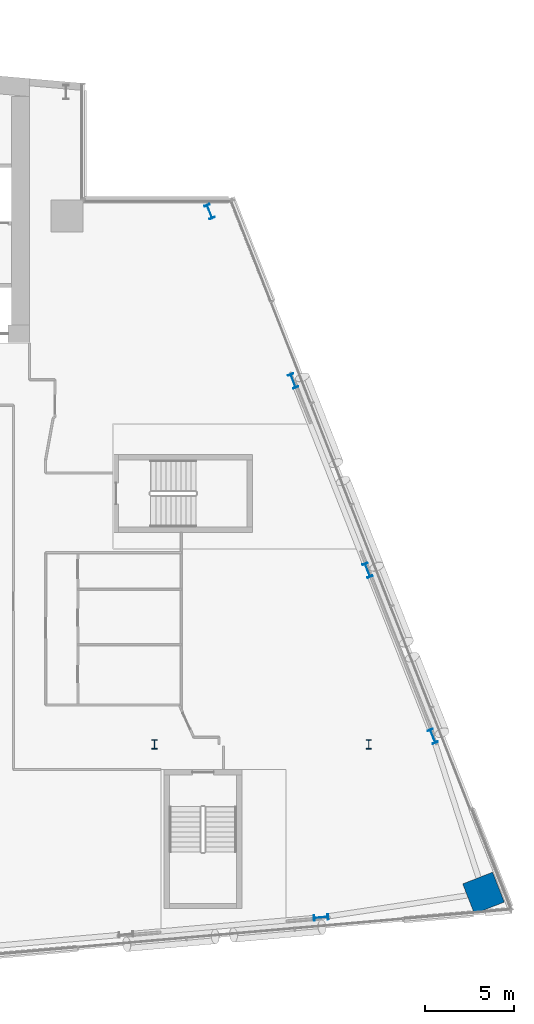
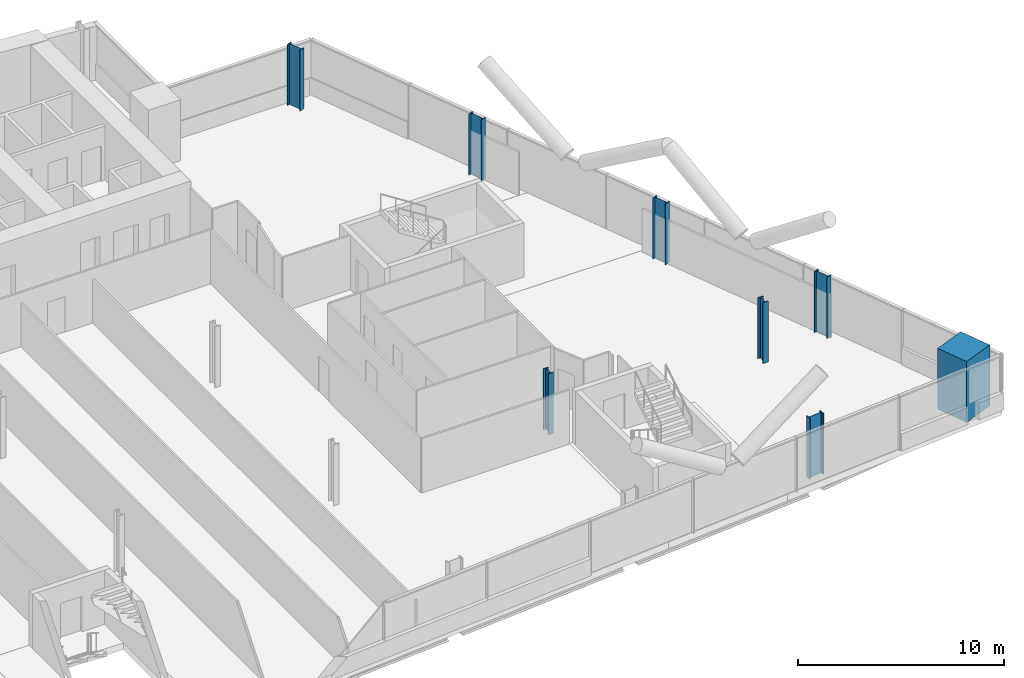
# One storey, part 4 of 26: 8 columns.
"""IFC4 building model written with IfcOpenShell, lengths in metres."""

from ifc_helpers import new_model, si_unit, direction, frame, origin, origin_2d, place, context, subcontext, project, spatial, rectangle, i_section, extrude, material, material_profile, profile_set, type_object, element, save


model = new_model("IFC4")

# Units and contexts
model_context = context("Model", 3, precision=1e-05, world=origin(), true_north=direction((0.0, 1.0)))
body_context = subcontext(model_context, "Body", "Model", "MODEL_VIEW")
ifc_project = project(units=[si_unit("LENGTHUNIT", "METRE"), si_unit("AREAUNIT", "SQUARE_METRE"), si_unit("VOLUMEUNIT", "CUBIC_METRE"), si_unit("PLANEANGLEUNIT", "RADIAN"), si_unit("MASSUNIT", "GRAM", prefix="KILO")], contexts=[model_context])

# Site, building, storey
site_placement = place(None, origin())
site = spatial("IfcSite", under=ifc_project, at=site_placement, CompositionType="ELEMENT")
building_placement = place(site_placement, origin())
building = spatial("IfcBuilding", under=site, at=building_placement, Name="Wharfspan Tower", CompositionType="ELEMENT")
storey_placement = place(building_placement, frame((0.0, 0.0, 125.5)))
storey = spatial("IfcBuildingStorey", under=building, at=storey_placement, Name="L29", CompositionType="ELEMENT", Elevation=125.5)

# Columns
ifc_material_1 = material(Name="Steel S355J2", Category="steel")
ifc_material_profile_1 = material_profile(ifc_material_1, i_section(OverallWidth=0.305908, OverallDepth=0.523926, WebThickness=0.020996, FlangeThickness=0.040039, FilletRadius=0.0271, at=origin_2d()))
ifc_profile_set_1 = profile_set([ifc_material_profile_1], Name="Steel S355J2")
column_type_1 = type_object("IfcColumnType", Name="Column HEM 500", PredefinedType="COLUMN", material=ifc_profile_set_1)
for number, where, z_axis, x_axis, name in (
    (1, (72.0, 11.5, 0.0), (0.0, 0.0, 1.0), (1.0, 0.0, 0.0), "Interior column I.1.6 L29"),
    (2, (84.0, 11.5, 0.0), (0.0, 0.0, 1.0), (1.0, 0.0, 0.0), "Interior column I.1.7 L29"),
):
    element("IfcColumn", number, at=place(storey_placement, frame(where, z_axis=z_axis, x_axis=x_axis)), inside=storey, type_object=column_type_1, Name=name, PredefinedType="COLUMN", context=body_context, shape_type="SweptSolid", body=[
        extrude(i_section(OverallWidth=0.305908, OverallDepth=0.523926, WebThickness=0.020996, FlangeThickness=0.040039, FilletRadius=0.0271, at=origin_2d()), origin(), (0.0, 0.0, 1.0), 3.600098),
    ])
ifc_material_profile_2 = material_profile(ifc_material_1, i_section(OverallWidth=0.302979, OverallDepth=0.813965, WebThickness=0.020996, FlangeThickness=0.040039, FilletRadius=0.030029, at=origin_2d()))
ifc_profile_set_2 = profile_set([ifc_material_profile_2], Name="Steel S355J2")
column_type_2 = type_object("IfcColumnType", Name="Column HEM 800", PredefinedType="COLUMN", material=ifc_profile_set_2)
for number, where, z_axis, x_axis, name in (
    (3, (81.327881, 1.80835, 0.0), (0.0, 0.0, 1.0), (0.087156, -0.996198, 0.0), "Perimeter column PS2.3 L29"),
    (4, (87.586914, 11.952393, 0.0), (0.0, 0.0, 1.0), (0.930702, 0.365778, 0.0), "Perimeter column PE.1 L29"),
    (5, (83.932617, 21.250977, 0.0), (0.0, 0.0, 1.0), (0.930702, 0.365778, 0.0), "Perimeter column PE.2 L29"),
    (6, (79.765869, 31.852539, 0.0), (0.0, 0.0, 1.0), (0.930702, 0.365778, 0.0), "Perimeter column PE.3 L29"),
    (7, (75.084961, 41.337646, 0.0), (0.0, 0.0, 1.0), (0.930702, 0.365778, 0.0), "Perimeter column PE.4 L29"),
):
    element("IfcColumn", number, at=place(storey_placement, frame(where, z_axis=z_axis, x_axis=x_axis)), inside=storey, type_object=column_type_2, Name=name, PredefinedType="COLUMN", context=body_context, shape_type="SweptSolid", body=[
        extrude(i_section(OverallWidth=0.302979, OverallDepth=0.813965, WebThickness=0.020996, FlangeThickness=0.040039, FilletRadius=0.030029, at=origin_2d()), origin(), (0.0, 0.0, 1.0), 3.600098),
    ])
ifc_material_2 = material(Name="Concrete C70/85", Category="concrete")
ifc_material_profile_3 = material_profile(ifc_material_2, rectangle(XDim=1.800049, YDim=1.800049, at=origin_2d()))
ifc_profile_set_3 = profile_set([ifc_material_profile_3], Name="Concrete C70/85")
column_type_3 = type_object("IfcColumnType", Name="Mega column 1800 C70/85", PredefinedType="COLUMN", material=ifc_profile_set_3)
column_placement = place(storey_placement, frame((90.427246, 3.174072, 0.0), z_axis=(0.0, 0.0, 1.0), x_axis=(-0.365778, 0.930702, 0.0)))
element("IfcColumn", 8, at=column_placement, inside=storey, type_object=column_type_3, Name="Mega column MC4 L29", PredefinedType="COLUMN", context=body_context, shape_type="SweptSolid", body=[
    extrude(rectangle(XDim=1.800049, YDim=1.800049, at=origin_2d()), origin(), (0.0, 0.0, 1.0), 3.600098),
])

save(model, "model.ifc")
